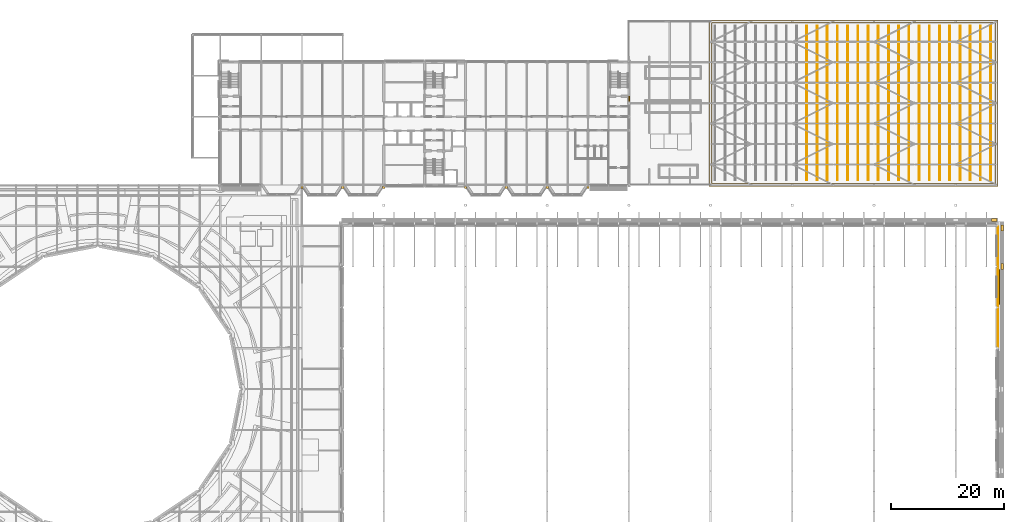
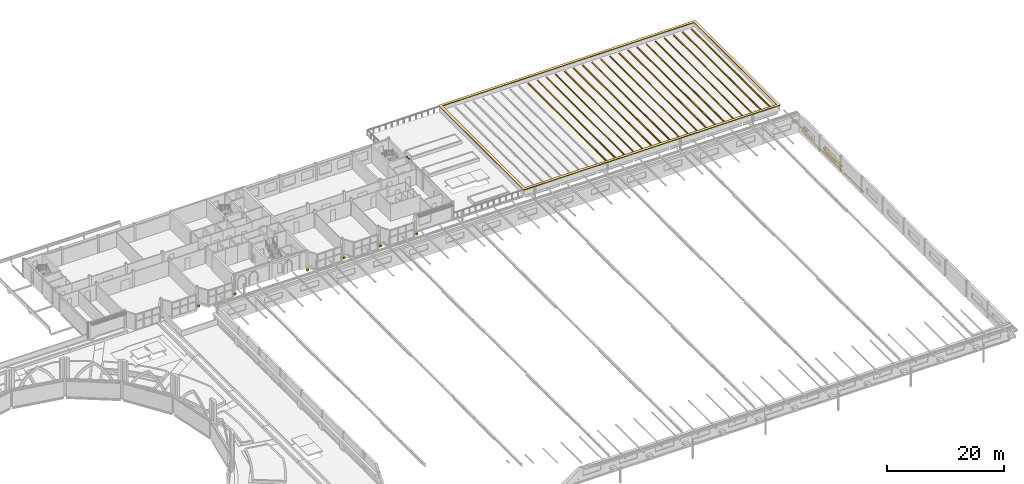
# One storey, part 110 of 110: 35 coverings.
"""IFC4 building model written with IfcOpenShell, lengths in metres."""

from ifc_helpers import new_model, si_unit, direction, frame, origin, origin_2d, place, context, subcontext, project, spatial, polyline, rectangle, outline, extrude, material, layer, layer_set, type_object, element, save


model = new_model("IFC4")

# Units and contexts
model_context = context("Model", 3, precision=1e-05, world=origin(), true_north=direction((0.0, 1.0)))
body_context = subcontext(model_context, "Body", "Model", "MODEL_VIEW")
ifc_project = project(units=[si_unit("LENGTHUNIT", "METRE"), si_unit("AREAUNIT", "SQUARE_METRE"), si_unit("VOLUMEUNIT", "CUBIC_METRE"), si_unit("PLANEANGLEUNIT", "RADIAN"), si_unit("MASSUNIT", "GRAM", prefix="KILO")], contexts=[model_context])

# Site, building, storey
site_placement = place(None, origin())
site = spatial("IfcSite", under=ifc_project, at=site_placement, CompositionType="ELEMENT")
building_placement = place(site_placement, origin())
building = spatial("IfcBuilding", under=site, at=building_placement, Name="Kupolbacken Congress Centre", CompositionType="ELEMENT")
storey_placement = place(building_placement, frame((0.0, 0.0, 18.0)))
storey = spatial("IfcBuildingStorey", under=building, at=storey_placement, Name="L05", CompositionType="ELEMENT", Elevation=18.0)

# Coverings
ifc_material_1 = material(Name="Limestone cladding", Category="masonry")
ifc_layer_1 = layer(ifc_material_1, 0.1201171875)
ifc_layer_set_1 = layer_set([ifc_layer_1], Name="Limestone cladding")
covering_type_1 = type_object("IfcCoveringType", Name="CV1 limestone cladding band 120", PredefinedType="CLADDING", material=ifc_layer_set_1)
for number, where, z_axis, x_axis, name in (
    (1, (108.0, 121.958984375, -0.5), (0.0, 0.0, 1.0), (1.0, 0.0, 0.0), "E/T/bracket/L05/S/108/L"),
    (2, (115.199951171875, 121.958984375, -0.5), (0.0, 0.0, 1.0), (1.0, 0.0, 0.0), "E/T/bracket/L05/S/108/R"),
    (3, (122.39990234375, 121.958984375, -0.5), (0.0, 0.0, 1.0), (1.0, 0.0, 0.0), "E/T/bracket/L05/S/115.2/R"),
    (4, (129.60009765625, 121.958984375, -0.5), (0.0, 0.0, 1.0), (1.0, 0.0, 0.0), "E/T/bracket/L05/S/122.4/R"),
    (5, (79.199951171875, 121.958984375, -0.5), (0.0, 0.0, 1.0), (1.0, 0.0, 0.0), "E/T/bracket/L05/S/79.2/L"),
    (6, (86.39990234375, 121.958984375, -0.5), (0.0, 0.0, 1.0), (1.0, 0.0, 0.0), "E/T/bracket/L05/S/79.2/R"),
    (7, (93.60009765625, 121.958984375, -0.5), (0.0, 0.0, 1.0), (1.0, 0.0, 0.0), "E/T/bracket/L05/S/86.4/R"),
):
    element("IfcCovering", number, at=place(storey_placement, frame(where, z_axis=z_axis, x_axis=x_axis)), inside=storey, type_object=covering_type_1, Name=name, PredefinedType="CLADDING", context=body_context, shape_type="SweptSolid", body=[
        extrude(rectangle(XDim=0.39990234375, YDim=0.449951171875, at=origin_2d()), origin(), (0.0, 0.0, 1.0), 0.360107421875),
    ])
covering_1_placement = place(storey_placement, frame((136.885009765625, 137.512451171875, 3.4599609375), z_axis=(0.0, 0.0, 1.0), x_axis=(0.0, 1.0, 0.0)))
element("IfcCovering", 8, at=covering_1_placement, inside=storey, type_object=covering_type_1, Name="E/T/E/L05/064/band", PredefinedType="CLADDING", context=body_context, shape_type="SweptSolid", body=[
    extrude(rectangle(XDim=0.97509765625, YDim=0.169921875, at=origin_2d()), origin(), (0.0, 0.0, 1.0), 0.139892578125),
])
ifc_material_2 = material(Name="Limestone cladding", Category="masonry")
ifc_layer_2 = layer(ifc_material_2, 0.14990234375)
ifc_layer_set_2 = layer_set([ifc_layer_2], Name="Limestone cladding")
covering_type_2 = type_object("IfcCoveringType", Name="CV11 limestone parapet coping 150", PredefinedType="CLADDING", material=ifc_layer_set_2)
covering_2_placement = place(storey_placement, frame((0.0, 0.0, 1.10009765625)))
element("IfcCovering", 9, at=covering_2_placement, inside=storey, type_object=covering_type_2, Name="F/B/coping", PredefinedType="CLADDING", context=body_context, shape_type="SweptSolid", body=[
    extrude(outline(polyline([(150.949951171875, 122.14990234375), (201.85009765625, 122.14990234375), (201.85009765625, 151.449951171875), (150.949951171875, 151.449951171875), (150.949951171875, 122.14990234375)]), holes=[polyline([(151.449951171875, 122.64990234375), (151.449951171875, 150.949951171875), (201.35009765625, 150.949951171875), (201.35009765625, 122.64990234375), (151.449951171875, 122.64990234375)])]), origin(), (0.0, 0.0, 1.0), 0.14990234375),
])
ifc_material_3 = material(Name="Standing seam zinc roofing on boarding", Category="metal")
ifc_layer_3 = layer(ifc_material_3, 0.080078125)
ifc_layer_set_3 = layer_set([ifc_layer_3], Name="Standing seam zinc roofing on boarding")
covering_type_3 = type_object("IfcCoveringType", Name="CV12 standing seam roof rib 80", PredefinedType="ROOFING", material=ifc_layer_set_3)
for number, where, z_axis, x_axis, name in (
    (10, (168.179931640625, 136.800048828125, 0.2900390625), (0.0, 0.0, 1.0), (0.0, 1.0, 0.0), "F/B/rib/09"),
    (11, (169.97998046875, 136.800048828125, 0.2900390625), (0.0, 0.0, 1.0), (0.0, 1.0, 0.0), "F/B/rib/10"),
    (12, (171.780029296875, 136.800048828125, 0.2900390625), (0.0, 0.0, 1.0), (0.0, 1.0, 0.0), "F/B/rib/11"),
    (13, (173.580078125, 136.800048828125, 0.2900390625), (0.0, 0.0, 1.0), (0.0, 1.0, 0.0), "F/B/rib/12"),
    (14, (175.3798828125, 136.800048828125, 0.2900390625), (0.0, 0.0, 1.0), (0.0, 1.0, 0.0), "F/B/rib/13"),
    (15, (177.179931640625, 136.800048828125, 0.2900390625), (0.0, 0.0, 1.0), (0.0, 1.0, 0.0), "F/B/rib/14"),
    (16, (178.97998046875, 136.800048828125, 0.2900390625), (0.0, 0.0, 1.0), (0.0, 1.0, 0.0), "F/B/rib/15"),
    (17, (180.780029296875, 136.800048828125, 0.2900390625), (0.0, 0.0, 1.0), (0.0, 1.0, 0.0), "F/B/rib/16"),
    (18, (182.580078125, 136.800048828125, 0.2900390625), (0.0, 0.0, 1.0), (0.0, 1.0, 0.0), "F/B/rib/17"),
    (19, (184.3798828125, 136.800048828125, 0.2900390625), (0.0, 0.0, 1.0), (0.0, 1.0, 0.0), "F/B/rib/18"),
    (20, (186.179931640625, 136.800048828125, 0.2900390625), (0.0, 0.0, 1.0), (0.0, 1.0, 0.0), "F/B/rib/19"),
    (21, (187.97998046875, 136.800048828125, 0.2900390625), (0.0, 0.0, 1.0), (0.0, 1.0, 0.0), "F/B/rib/20"),
    (22, (189.780029296875, 136.800048828125, 0.2900390625), (0.0, 0.0, 1.0), (0.0, 1.0, 0.0), "F/B/rib/21"),
    (23, (191.580078125, 136.800048828125, 0.2900390625), (0.0, 0.0, 1.0), (0.0, 1.0, 0.0), "F/B/rib/22"),
    (24, (193.3798828125, 136.800048828125, 0.2900390625), (0.0, 0.0, 1.0), (0.0, 1.0, 0.0), "F/B/rib/23"),
    (25, (195.179931640625, 136.800048828125, 0.2900390625), (0.0, 0.0, 1.0), (0.0, 1.0, 0.0), "F/B/rib/24"),
    (26, (196.97998046875, 136.800048828125, 0.2900390625), (0.0, 0.0, 1.0), (0.0, 1.0, 0.0), "F/B/rib/25"),
    (27, (198.780029296875, 136.800048828125, 0.2900390625), (0.0, 0.0, 1.0), (0.0, 1.0, 0.0), "F/B/rib/26"),
    (28, (200.580078125, 136.800048828125, 0.2900390625), (0.0, 0.0, 1.0), (0.0, 1.0, 0.0), "F/B/rib/27"),
):
    element("IfcCovering", number, at=place(storey_placement, frame(where, z_axis=z_axis, x_axis=x_axis)), inside=storey, type_object=covering_type_3, Name=name, PredefinedType="ROOFING", context=body_context, shape_type="SweptSolid", body=[
        extrude(rectangle(XDim=27.239990234375, YDim=0.14990234375, at=origin_2d()), origin(), (0.0, 0.0, 1.0), 0.14990234375),
    ])
ifc_material_4 = material(Name="Brick cladding", Category="masonry")
ifc_layer_4 = layer(ifc_material_4, 0.10791015625)
ifc_layer_set_4 = layer_set([ifc_layer_4], Name="Brick cladding")
covering_type_4 = type_object("IfcCoveringType", Name="CV2 brick cladding band 108", PredefinedType="CLADDING", material=ifc_layer_set_4)
covering_3_placement = place(storey_placement, frame((201.864013671875, 97.199951171875, 0.0), z_axis=(0.0, 0.0, 1.0), x_axis=(0.0, 1.0, 0.0)))
element("IfcCovering", 29, at=covering_3_placement, inside=storey, type_object=covering_type_4, Name="E/H/E/L05/464/band", PredefinedType="CLADDING", context=body_context, shape_type="SweptSolid", body=[
    extrude(rectangle(XDim=6.7099609375, YDim=0.10791015625, at=origin_2d()), origin(), (0.0, 0.0, 1.0), 0.300048828125),
])
covering_4_placement = place(storey_placement, frame((201.864013671875, 104.449951171875, 0.0), z_axis=(0.0, 0.0, 1.0), x_axis=(0.0, 1.0, 0.0)))
element("IfcCovering", 30, at=covering_4_placement, inside=storey, type_object=covering_type_4, Name="E/H/E/L05/465/band", PredefinedType="CLADDING", context=body_context, shape_type="SweptSolid", body=[
    extrude(rectangle(XDim=6.81005859375, YDim=0.10791015625, at=origin_2d()), origin(), (0.0, 0.0, 1.0), 0.300048828125),
])
covering_5_placement = place(storey_placement, frame((201.864013671875, 111.60009765625, 0.0), z_axis=(0.0, 0.0, 1.0), x_axis=(0.0, 1.0, 0.0)))
element("IfcCovering", 31, at=covering_5_placement, inside=storey, type_object=covering_type_4, Name="E/H/E/L05/466/band", PredefinedType="CLADDING", context=body_context, shape_type="SweptSolid", body=[
    extrude(rectangle(XDim=6.909912109375, YDim=0.10791015625, at=origin_2d()), origin(), (0.0, 0.0, 1.0), 0.300048828125),
])
ifc_material_5 = material(Name="Limestone cladding", Category="masonry")
ifc_layer_5 = layer(ifc_material_5, 0.35009765625)
ifc_layer_set_5 = layer_set([ifc_layer_5], Name="Limestone cladding")
covering_type_5 = type_object("IfcCoveringType", Name="CV3 limestone pilaster strip 350", PredefinedType="CLADDING", material=ifc_layer_set_5)
covering_6_placement = place(storey_placement, frame((201.985107421875, 104.39990234375, 0.7001953125), z_axis=(0.0, 0.0, 1.0), x_axis=(0.0, 1.0, 0.0)))
element("IfcCovering", 32, at=covering_6_placement, inside=storey, type_object=covering_type_5, Name="F/HR/H/E/corbel/08", PredefinedType="CLADDING", context=body_context, shape_type="SweptSolid", body=[
    extrude(rectangle(XDim=6.0, YDim=0.35009765625, at=origin_2d()), origin(), (0.0, 0.0, 1.0), 0.449951171875),
])
ifc_material_6 = material(Name="Limestone cladding", Category="masonry")
ifc_layer_6 = layer(ifc_material_6, 0.5)
ifc_layer_set_6 = layer_set([ifc_layer_6], Name="Limestone cladding")
covering_type_6 = type_object("IfcCoveringType", Name="CV8 limestone drum pier 500", PredefinedType="CLADDING", material=ifc_layer_set_6)
for number, where, z_axis, x_axis, name in (
    (33, (201.2099609375, 116.2099609375, 1.38525390625), (0.0, 0.0, 1.0), (1.0, 0.0, 0.0), "F/HR/H/N/cap/16-0/0"),
    (34, (202.610107421875, 108.0, 0.0498046875), (0.0, 0.0, 1.0), (0.0, 1.0, 0.0), "F/HR/H/E/cap/09-0/0"),
    (35, (202.610107421875, 114.81005859375, 0.0498046875), (0.0, 0.0, 1.0), (0.0, 1.0, 0.0), "F/HR/H/E/cap/10-0/0"),
):
    element("IfcCovering", number, at=place(storey_placement, frame(where, z_axis=z_axis, x_axis=x_axis)), inside=storey, type_object=covering_type_6, Name=name, PredefinedType="CLADDING", context=body_context, shape_type="SweptSolid", body=[
        extrude(rectangle(XDim=1.0, YDim=0.5, at=origin_2d()), origin(), (0.0, 0.0, 1.0), 0.449951171875),
    ])

save(model, "model.ifc")
